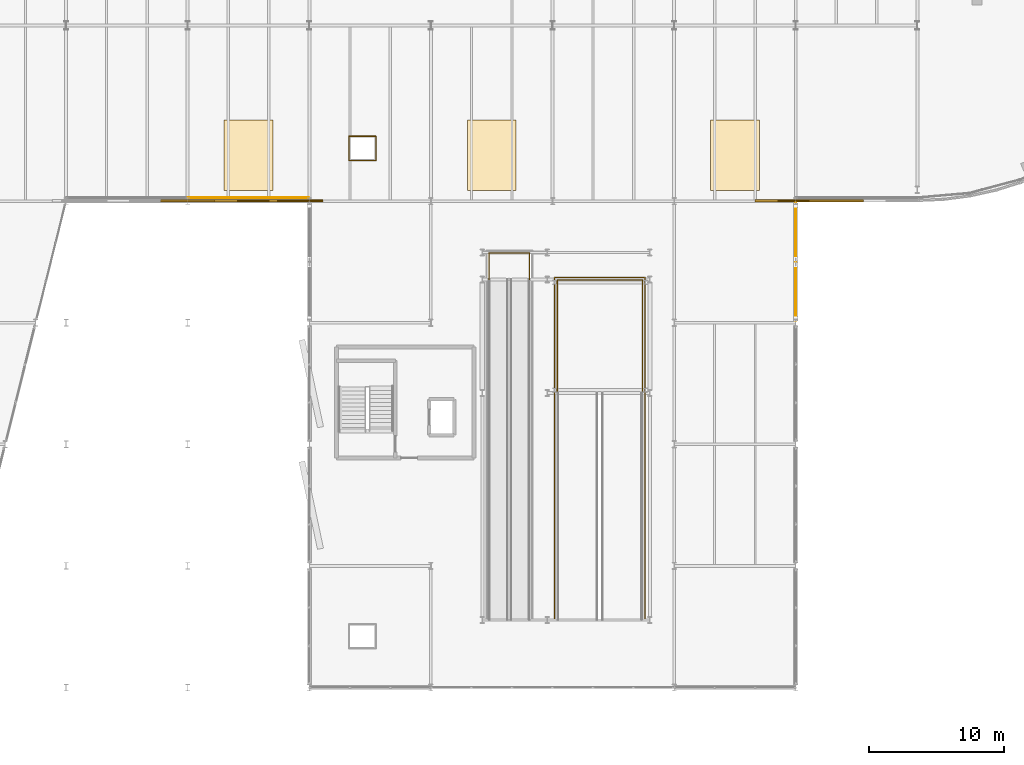
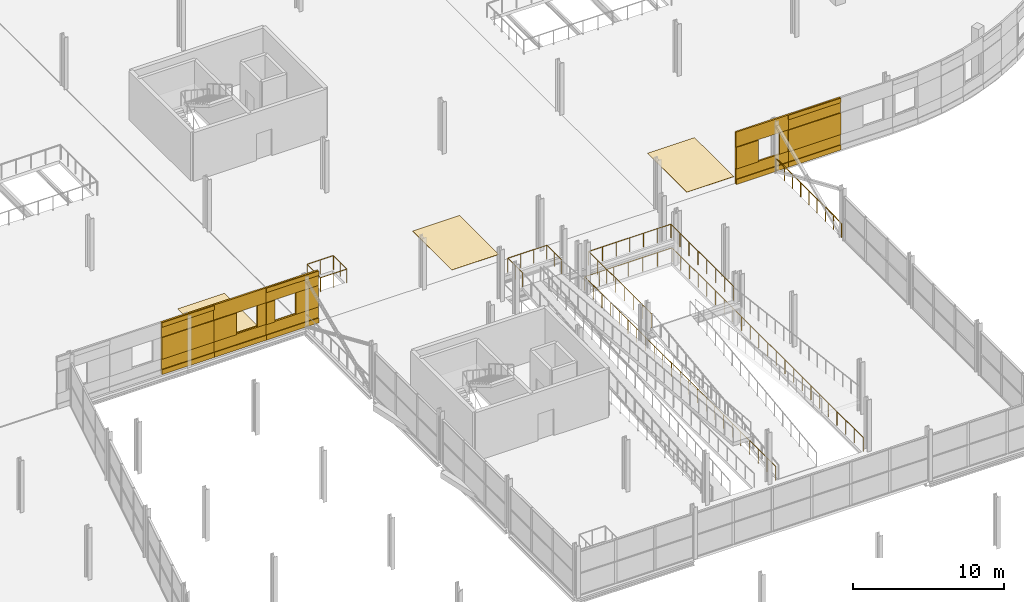
# One storey, part 125 of 132: 29 coverings, 7 railings.
"""IFC4 building model written with IfcOpenShell, lengths in metres."""

from ifc_helpers import new_model, si_unit, direction, frame, origin, origin_2d, place, context, subcontext, project, spatial, polyline, rectangle, circle, outline, extrude, material, layer, layer_set, type_object, element, save


model = new_model("IFC4")

# Units and contexts
model_context = context("Model", 3, precision=1e-05, world=origin(), true_north=direction((0.0, 1.0)))
body_context = subcontext(model_context, "Body", "Model", "MODEL_VIEW")
ifc_project = project(units=[si_unit("LENGTHUNIT", "METRE"), si_unit("AREAUNIT", "SQUARE_METRE"), si_unit("VOLUMEUNIT", "CUBIC_METRE"), si_unit("PLANEANGLEUNIT", "RADIAN"), si_unit("MASSUNIT", "GRAM", prefix="KILO")], contexts=[model_context])

# Site, building, storey
site_placement = place(None, origin())
site = spatial("IfcSite", under=ifc_project, at=site_placement, CompositionType="ELEMENT")
building_placement = place(site_placement, origin())
building = spatial("IfcBuilding", under=site, at=building_placement, Name="Deido Ridge Mobility Hub", CompositionType="ELEMENT")
storey_placement = place(building_placement, frame((0.0, 0.0, 8.39990234375)))
storey = spatial("IfcBuildingStorey", under=building, at=storey_placement, Name="L02", CompositionType="ELEMENT", Elevation=8.39990234375)

# Coverings
ifc_material_1 = material(Name="Fired clay brick masonry", Category="masonry")
ifc_layer_1 = layer(ifc_material_1, 0.114990234375, Name="Fired clay brick masonry")
ifc_layer_set_1 = layer_set([ifc_layer_1], Name="Fired clay brick masonry")
covering_type_1 = type_object("IfcCoveringType", Name="COV-BRK-SCREEN-115", PredefinedType="CLADDING", material=ifc_layer_set_1)
covering_1_placement = place(storey_placement, frame((63.0, 81.052490234375, 0.0), z_axis=(0.0, 0.0, 1.0), x_axis=(1.0, 0.0, 0.0)))
element("IfcCovering", 1, at=covering_1_placement, inside=storey, type_object=covering_type_1, Name="Open brickwork spandrel course BKS1 (L02)", PredefinedType="CLADDING", context=body_context, shape_type="SweptSolid", body=[
    extrude(rectangle(XDim=4.01611328125, YDim=0.125, at=origin_2d()), origin(), (0.0, 0.0, 1.0), 1.25),
])
covering_2_placement = place(storey_placement, frame((63.0, 81.02490234375, 0.000244140625), z_axis=(0.0, 0.0, 1.0), x_axis=(1.0, 0.0, 0.0)))
element("IfcCovering", 2, at=covering_2_placement, inside=storey, type_object=covering_type_1, Name="Raised brick relief belt BKS1 (L02)", PredefinedType="CLADDING", context=body_context, shape_type="SweptSolid", body=[
    extrude(rectangle(XDim=4.01611328125, YDim=0.179931640625, at=origin_2d()), origin(), (0.0, 0.0, 1.0), 0.39990234375),
])
covering_3_placement = place(storey_placement, frame((63.0, 81.052490234375, 3.0), z_axis=(0.0, 0.0, 1.0), x_axis=(1.0, 0.0, 0.0)))
element("IfcCovering", 3, at=covering_3_placement, inside=storey, type_object=covering_type_1, Name="Open brickwork lintel course BKS1 (L02)", PredefinedType="CLADDING", context=body_context, shape_type="SweptSolid", body=[
    extrude(rectangle(XDim=4.01611328125, YDim=0.125, at=origin_2d()), origin(), (0.0, 0.0, 1.0), 1.199951171875),
])
covering_4_placement = place(storey_placement, frame((63.0, 81.02490234375, 3.83984375), z_axis=(0.0, 0.0, 1.0), x_axis=(1.0, 0.0, 0.0)))
element("IfcCovering", 4, at=covering_4_placement, inside=storey, type_object=covering_type_1, Name="Raised brick relief cornice BKS1 (L02)", PredefinedType="CLADDING", context=body_context, shape_type="SweptSolid", body=[
    extrude(rectangle(XDim=4.01611328125, YDim=0.179931640625, at=origin_2d()), origin(), (0.0, 0.0, 1.0), 0.360107421875),
])
covering_5_placement = place(storey_placement, frame((63.0, 81.02490234375, 1.25), z_axis=(0.0, 0.0, 1.0), x_axis=(1.0, 0.0, 0.0)))
element("IfcCovering", 5, at=covering_5_placement, inside=storey, type_object=covering_type_1, Name="Raised brick relief panel BKS1 (L02)", PredefinedType="CLADDING", context=body_context, shape_type="SweptSolid", body=[
    extrude(rectangle(XDim=4.008056640625, YDim=0.179931640625, at=origin_2d()), origin(), (0.0, 0.0, 1.0), 1.75),
])
covering_6_placement = place(storey_placement, frame((67.0, 81.052490234375, 0.0), z_axis=(0.0, 0.0, 1.0), x_axis=(1.0, 0.0, 0.0)))
element("IfcCovering", 6, at=covering_6_placement, inside=storey, type_object=covering_type_1, Name="Open brickwork spandrel course BKS1 (L02)", PredefinedType="CLADDING", context=body_context, shape_type="SweptSolid", body=[
    extrude(rectangle(XDim=4.01611328125, YDim=0.125, at=origin_2d()), origin(), (0.0, 0.0, 1.0), 1.25),
])
covering_7_placement = place(storey_placement, frame((67.0, 81.02490234375, 0.000244140625), z_axis=(0.0, 0.0, 1.0), x_axis=(1.0, 0.0, 0.0)))
element("IfcCovering", 7, at=covering_7_placement, inside=storey, type_object=covering_type_1, Name="Raised brick relief belt BKS1 (L02)", PredefinedType="CLADDING", context=body_context, shape_type="SweptSolid", body=[
    extrude(rectangle(XDim=4.01611328125, YDim=0.179931640625, at=origin_2d()), origin(), (0.0, 0.0, 1.0), 0.39990234375),
])
covering_8_placement = place(storey_placement, frame((67.0, 81.052490234375, 3.0), z_axis=(0.0, 0.0, 1.0), x_axis=(1.0, 0.0, 0.0)))
element("IfcCovering", 8, at=covering_8_placement, inside=storey, type_object=covering_type_1, Name="Open brickwork lintel course BKS1 (L02)", PredefinedType="CLADDING", context=body_context, shape_type="SweptSolid", body=[
    extrude(rectangle(XDim=4.01611328125, YDim=0.125, at=origin_2d()), origin(), (0.0, 0.0, 1.0), 1.199951171875),
])
covering_9_placement = place(storey_placement, frame((65.847412109375, 81.02490234375, 1.25), z_axis=(0.0, 0.0, 1.0), x_axis=(1.0, 0.0, 0.0)))
element("IfcCovering", 9, at=covering_9_placement, inside=storey, type_object=covering_type_1, Name="Open brickwork pier BKS1 (L02)", PredefinedType="CLADDING", context=body_context, shape_type="SweptSolid", body=[
    extrude(rectangle(XDim=1.695068359375, YDim=0.179931640625, at=origin_2d()), origin(), (0.0, 0.0, 1.0), 1.75),
])
covering_10_placement = place(storey_placement, frame((68.672607421875, 81.052490234375, 1.25), z_axis=(0.0, 0.0, 1.0), x_axis=(1.0, 0.0, 0.0)))
element("IfcCovering", 10, at=covering_10_placement, inside=storey, type_object=covering_type_1, Name="Open brickwork pier BKS1 (L02)", PredefinedType="CLADDING", context=body_context, shape_type="SweptSolid", body=[
    extrude(rectangle(XDim=0.655029296875, YDim=0.125, at=origin_2d()), origin(), (0.0, 0.0, 1.0), 1.75),
])
covering_11_placement = place(storey_placement, frame((71.0, 81.052490234375, 0.0), z_axis=(0.0, 0.0, 1.0), x_axis=(1.0, 0.0, 0.0)))
element("IfcCovering", 11, at=covering_11_placement, inside=storey, type_object=covering_type_1, Name="Open brickwork spandrel course BKS1 (L02)", PredefinedType="CLADDING", context=body_context, shape_type="SweptSolid", body=[
    extrude(rectangle(XDim=4.01611328125, YDim=0.125, at=origin_2d()), origin(), (0.0, 0.0, 1.0), 1.25),
])
covering_12_placement = place(storey_placement, frame((71.0, 81.02490234375, 0.000244140625), z_axis=(0.0, 0.0, 1.0), x_axis=(1.0, 0.0, 0.0)))
element("IfcCovering", 12, at=covering_12_placement, inside=storey, type_object=covering_type_1, Name="Raised brick relief belt BKS1 (L02)", PredefinedType="CLADDING", context=body_context, shape_type="SweptSolid", body=[
    extrude(rectangle(XDim=4.01611328125, YDim=0.179931640625, at=origin_2d()), origin(), (0.0, 0.0, 1.0), 0.39990234375),
])
covering_13_placement = place(storey_placement, frame((71.0, 81.052490234375, 3.0), z_axis=(0.0, 0.0, 1.0), x_axis=(1.0, 0.0, 0.0)))
element("IfcCovering", 13, at=covering_13_placement, inside=storey, type_object=covering_type_1, Name="Open brickwork lintel course BKS1 (L02)", PredefinedType="CLADDING", context=body_context, shape_type="SweptSolid", body=[
    extrude(rectangle(XDim=4.01611328125, YDim=0.125, at=origin_2d()), origin(), (0.0, 0.0, 1.0), 1.199951171875),
])
covering_14_placement = place(storey_placement, frame((71.0, 81.02490234375, 3.83984375), z_axis=(0.0, 0.0, 1.0), x_axis=(1.0, 0.0, 0.0)))
element("IfcCovering", 14, at=covering_14_placement, inside=storey, type_object=covering_type_1, Name="Raised brick relief cornice BKS1 (L02)", PredefinedType="CLADDING", context=body_context, shape_type="SweptSolid", body=[
    extrude(rectangle(XDim=4.01611328125, YDim=0.179931640625, at=origin_2d()), origin(), (0.0, 0.0, 1.0), 0.360107421875),
])
covering_15_placement = place(storey_placement, frame((69.327392578125, 81.02490234375, 1.25), z_axis=(0.0, 0.0, 1.0), x_axis=(1.0, 0.0, 0.0)))
element("IfcCovering", 15, at=covering_15_placement, inside=storey, type_object=covering_type_1, Name="Open brickwork pier BKS1 (L02)", PredefinedType="CLADDING", context=body_context, shape_type="SweptSolid", body=[
    extrude(rectangle(XDim=0.655029296875, YDim=0.179931640625, at=origin_2d()), origin(), (0.0, 0.0, 1.0), 1.75),
])
covering_16_placement = place(storey_placement, frame((72.152587890625, 81.052490234375, 1.25), z_axis=(0.0, 0.0, 1.0), x_axis=(1.0, 0.0, 0.0)))
element("IfcCovering", 16, at=covering_16_placement, inside=storey, type_object=covering_type_1, Name="Open brickwork pier BKS1 (L02)", PredefinedType="CLADDING", context=body_context, shape_type="SweptSolid", body=[
    extrude(rectangle(XDim=1.695068359375, YDim=0.125, at=origin_2d()), origin(), (0.0, 0.0, 1.0), 1.75),
])
covering_17_placement = place(storey_placement, frame((107.0, 81.052490234375, 0.0), z_axis=(0.0, 0.0, 1.0), x_axis=(1.0, 0.0, 0.0)))
element("IfcCovering", 17, at=covering_17_placement, inside=storey, type_object=covering_type_1, Name="Open brickwork spandrel course BKS1 (L02)", PredefinedType="CLADDING", context=body_context, shape_type="SweptSolid", body=[
    extrude(rectangle(XDim=4.01611328125, YDim=0.125, at=origin_2d()), origin(), (0.0, 0.0, 1.0), 1.25),
])
covering_18_placement = place(storey_placement, frame((107.0, 81.02490234375, 0.000244140625), z_axis=(0.0, 0.0, 1.0), x_axis=(1.0, 0.0, 0.0)))
element("IfcCovering", 18, at=covering_18_placement, inside=storey, type_object=covering_type_1, Name="Raised brick relief belt BKS1 (L02)", PredefinedType="CLADDING", context=body_context, shape_type="SweptSolid", body=[
    extrude(rectangle(XDim=4.01611328125, YDim=0.179931640625, at=origin_2d()), origin(), (0.0, 0.0, 1.0), 0.39990234375),
])
covering_19_placement = place(storey_placement, frame((107.0, 81.052490234375, 3.0), z_axis=(0.0, 0.0, 1.0), x_axis=(1.0, 0.0, 0.0)))
element("IfcCovering", 19, at=covering_19_placement, inside=storey, type_object=covering_type_1, Name="Open brickwork lintel course BKS1 (L02)", PredefinedType="CLADDING", context=body_context, shape_type="SweptSolid", body=[
    extrude(rectangle(XDim=4.01611328125, YDim=0.125, at=origin_2d()), origin(), (0.0, 0.0, 1.0), 1.199951171875),
])
covering_20_placement = place(storey_placement, frame((105.847412109375, 81.02490234375, 1.25), z_axis=(0.0, 0.0, 1.0), x_axis=(1.0, 0.0, 0.0)))
element("IfcCovering", 20, at=covering_20_placement, inside=storey, type_object=covering_type_1, Name="Open brickwork pier BKS1 (L02)", PredefinedType="CLADDING", context=body_context, shape_type="SweptSolid", body=[
    extrude(rectangle(XDim=1.695068359375, YDim=0.179931640625, at=origin_2d()), origin(), (0.0, 0.0, 1.0), 1.75),
])
covering_21_placement = place(storey_placement, frame((108.672607421875, 81.052490234375, 1.25), z_axis=(0.0, 0.0, 1.0), x_axis=(1.0, 0.0, 0.0)))
element("IfcCovering", 21, at=covering_21_placement, inside=storey, type_object=covering_type_1, Name="Open brickwork pier BKS1 (L02)", PredefinedType="CLADDING", context=body_context, shape_type="SweptSolid", body=[
    extrude(rectangle(XDim=0.655029296875, YDim=0.125, at=origin_2d()), origin(), (0.0, 0.0, 1.0), 1.75),
])
covering_22_placement = place(storey_placement, frame((111.0, 81.052490234375, 0.0), z_axis=(0.0, 0.0, 1.0), x_axis=(1.0, 0.0, 0.0)))
element("IfcCovering", 22, at=covering_22_placement, inside=storey, type_object=covering_type_1, Name="Open brickwork spandrel course BKS1 (L02)", PredefinedType="CLADDING", context=body_context, shape_type="SweptSolid", body=[
    extrude(rectangle(XDim=4.01611328125, YDim=0.125, at=origin_2d()), origin(), (0.0, 0.0, 1.0), 1.25),
])
covering_23_placement = place(storey_placement, frame((111.0, 81.02490234375, 0.000244140625), z_axis=(0.0, 0.0, 1.0), x_axis=(1.0, 0.0, 0.0)))
element("IfcCovering", 23, at=covering_23_placement, inside=storey, type_object=covering_type_1, Name="Raised brick relief belt BKS1 (L02)", PredefinedType="CLADDING", context=body_context, shape_type="SweptSolid", body=[
    extrude(rectangle(XDim=4.01611328125, YDim=0.179931640625, at=origin_2d()), origin(), (0.0, 0.0, 1.0), 0.39990234375),
])
covering_24_placement = place(storey_placement, frame((111.0, 81.052490234375, 3.0), z_axis=(0.0, 0.0, 1.0), x_axis=(1.0, 0.0, 0.0)))
element("IfcCovering", 24, at=covering_24_placement, inside=storey, type_object=covering_type_1, Name="Open brickwork lintel course BKS1 (L02)", PredefinedType="CLADDING", context=body_context, shape_type="SweptSolid", body=[
    extrude(rectangle(XDim=4.01611328125, YDim=0.125, at=origin_2d()), origin(), (0.0, 0.0, 1.0), 1.199951171875),
])
covering_25_placement = place(storey_placement, frame((111.0, 81.02490234375, 3.83984375), z_axis=(0.0, 0.0, 1.0), x_axis=(1.0, 0.0, 0.0)))
element("IfcCovering", 25, at=covering_25_placement, inside=storey, type_object=covering_type_1, Name="Raised brick relief cornice BKS1 (L02)", PredefinedType="CLADDING", context=body_context, shape_type="SweptSolid", body=[
    extrude(rectangle(XDim=4.01611328125, YDim=0.179931640625, at=origin_2d()), origin(), (0.0, 0.0, 1.0), 0.360107421875),
])
covering_26_placement = place(storey_placement, frame((111.0, 81.02490234375, 1.25), z_axis=(0.0, 0.0, 1.0), x_axis=(1.0, 0.0, 0.0)))
element("IfcCovering", 26, at=covering_26_placement, inside=storey, type_object=covering_type_1, Name="Raised brick relief panel BKS1 (L02)", PredefinedType="CLADDING", context=body_context, shape_type="SweptSolid", body=[
    extrude(rectangle(XDim=4.008056640625, YDim=0.179931640625, at=origin_2d()), origin(), (0.0, 0.0, 1.0), 1.75),
])
ifc_material_2 = material(Name="Epoxy terrazzo floor finish")
ifc_layer_2 = layer(ifc_material_2, 0.02001953125, Name="Epoxy terrazzo floor finish")
ifc_layer_set_2 = layer_set([ifc_layer_2], Name="Epoxy terrazzo floor finish")
covering_type_2 = type_object("IfcCoveringType", Name="COV-FLR-TER-20", PredefinedType="FLOORING", material=ifc_layer_set_2)
covering_27_placement = place(storey_placement, origin())
element("IfcCovering", 27, at=covering_27_placement, inside=storey, type_object=covering_type_2, Name="Accessible parking bay marking AB10", PredefinedType="FLOORING", context=body_context, shape_type="SweptSolid", body=[
    extrude(outline(polyline([(65.699951171875, 81.800048828125), (69.300048828125, 81.800048828125), (69.300048828125, 87.0), (65.699951171875, 87.0), (65.699951171875, 81.800048828125)])), origin(), (0.0, 0.0, 1.0), 0.02001953125),
])
covering_28_placement = place(storey_placement, origin())
element("IfcCovering", 28, at=covering_28_placement, inside=storey, type_object=covering_type_2, Name="Accessible parking bay marking AB11", PredefinedType="FLOORING", context=body_context, shape_type="SweptSolid", body=[
    extrude(outline(polyline([(83.699951171875, 81.800048828125), (87.300048828125, 81.800048828125), (87.300048828125, 87.0), (83.699951171875, 87.0), (83.699951171875, 81.800048828125)])), origin(), (0.0, 0.0, 1.0), 0.02001953125),
])
covering_29_placement = place(storey_placement, origin())
element("IfcCovering", 29, at=covering_29_placement, inside=storey, type_object=covering_type_2, Name="Accessible parking bay marking AB12", PredefinedType="FLOORING", context=body_context, shape_type="SweptSolid", body=[
    extrude(outline(polyline([(101.699951171875, 81.800048828125), (105.300048828125, 81.800048828125), (105.300048828125, 87.0), (101.699951171875, 87.0), (101.699951171875, 81.800048828125)])), origin(), (0.0, 0.0, 1.0), 0.02001953125),
])

# Railings
ifc_material_3 = material(Name="Galvanised steel work", Category="steel")
railing_type = type_object("IfcRailingType", Name="RL-GRD-EXT-1150", PredefinedType="GUARDRAIL", material=ifc_material_3)
railing_1_placement = place(storey_placement, frame((108.0, 72.14990234375, 0.0)))
element("IfcRailing", 30, at=railing_1_placement, inside=storey, type_object=railing_type, Name="Braced bay perimeter guard (L02)", PredefinedType="GUARDRAIL", context=body_context, shape_type="SweptSolid", body=[
    extrude(circle(Radius=0.02392578125, at=origin_2d()), frame((0.0, 0.0, 1.1259765625), z_axis=(0.0, 1.0, 0.0), x_axis=(-1.0, 0.0, 0.0)), (0.0, 0.0, 1.0), 8.7001953125),
    extrude(circle(Radius=0.02099609375, at=origin_2d()), origin(), (0.0, 0.0, 1.0), 1.101806640625),
    extrude(circle(Radius=0.02099609375, at=origin_2d()), frame((0.0, 1.08740234375, 0.0)), (0.0, 0.0, 1.0), 1.101806640625),
    extrude(circle(Radius=0.02099609375, at=origin_2d()), frame((0.0, 2.175048828125, 0.0)), (0.0, 0.0, 1.0), 1.101806640625),
    extrude(circle(Radius=0.02099609375, at=origin_2d()), frame((0.0, 3.2626953125, 0.0)), (0.0, 0.0, 1.0), 1.101806640625),
    extrude(circle(Radius=0.02099609375, at=origin_2d()), frame((0.0, 4.35009765625, 0.0)), (0.0, 0.0, 1.0), 1.101806640625),
    extrude(circle(Radius=0.02099609375, at=origin_2d()), frame((0.0, 5.4375, 0.0)), (0.0, 0.0, 1.0), 1.101806640625),
    extrude(circle(Radius=0.02099609375, at=origin_2d()), frame((0.0, 6.525146484375, 0.0)), (0.0, 0.0, 1.0), 1.101806640625),
    extrude(circle(Radius=0.02099609375, at=origin_2d()), frame((0.0, 7.61279296875, 0.0)), (0.0, 0.0, 1.0), 1.101806640625),
    extrude(circle(Radius=0.02099609375, at=origin_2d()), frame((0.0, 8.7001953125, 0.0)), (0.0, 0.0, 1.0), 1.101806640625),
])
railing_2_placement = place(storey_placement, frame((63.0400390625, 81.25, 0.0)))
element("IfcRailing", 31, at=railing_2_placement, inside=storey, type_object=railing_type, Name="Parking drum perimeter guard (L02)", PredefinedType="GUARDRAIL", context=body_context, shape_type="SweptSolid", body=[
    extrude(circle(Radius=0.02392578125, at=origin_2d()), frame((0.0, 0.0, 1.1259765625), z_axis=(1.0, 0.0, 0.0), x_axis=(0.0, 1.0, 0.0)), (0.0, 0.0, 1.0), 8.919921875),
    extrude(circle(Radius=0.02099609375, at=origin_2d()), origin(), (0.0, 0.0, 1.0), 1.101806640625),
    extrude(circle(Radius=0.02099609375, at=origin_2d()), frame((1.114990234375, 0.0, 0.0)), (0.0, 0.0, 1.0), 1.101806640625),
    extrude(circle(Radius=0.02099609375, at=origin_2d()), frame((2.22998046875, 0.0, 0.0)), (0.0, 0.0, 1.0), 1.101806640625),
    extrude(circle(Radius=0.02099609375, at=origin_2d()), frame((3.344970703125, 0.0, 0.0)), (0.0, 0.0, 1.0), 1.101806640625),
    extrude(circle(Radius=0.02099609375, at=origin_2d()), frame((4.4599609375, 0.0, 0.0)), (0.0, 0.0, 1.0), 1.101806640625),
    extrude(circle(Radius=0.02099609375, at=origin_2d()), frame((5.574951171875, 0.0, 0.0)), (0.0, 0.0, 1.0), 1.101806640625),
    extrude(circle(Radius=0.02099609375, at=origin_2d()), frame((6.68994140625, 0.0, 0.0)), (0.0, 0.0, 1.0), 1.101806640625),
    extrude(circle(Radius=0.02099609375, at=origin_2d()), frame((7.804931640625, 0.0, 0.0)), (0.0, 0.0, 1.0), 1.101806640625),
    extrude(circle(Radius=0.02099609375, at=origin_2d()), frame((8.919921875, 0.0, 0.0)), (0.0, 0.0, 1.0), 1.101806640625),
])
railing_3_placement = place(storey_placement, frame((90.14990234375, 50.0, 0.0)))
element("IfcRailing", 32, at=railing_3_placement, inside=storey, type_object=railing_type, Name="Vehicle ramp well guard (L02)", PredefinedType="GUARDRAIL", context=body_context, shape_type="SweptSolid", body=[
    extrude(circle(Radius=0.02392578125, at=origin_2d()), frame((0.0, 0.0, 1.1259765625), z_axis=(0.0, 1.0, 0.0), x_axis=(-1.0, 0.0, 0.0)), (0.0, 0.0, 1.0), 25.35009765625),
    extrude(circle(Radius=0.02392578125, at=origin_2d()), frame((0.0, 25.35009765625, 1.1259765625), z_axis=(1.0, 0.0, 0.0), x_axis=(0.0, 1.0, 0.0)), (0.0, 0.0, 1.0), 6.7001953125),
    extrude(circle(Radius=0.02392578125, at=origin_2d()), frame((6.7001953125, 25.35009765625, 1.1259765625), z_axis=(0.0, -1.0, 0.0), x_axis=(1.0, 0.0, 0.0)), (0.0, 0.0, 1.0), 25.35009765625),
    extrude(circle(Radius=0.02099609375, at=origin_2d()), origin(), (0.0, 0.0, 1.0), 1.101806640625),
    extrude(circle(Radius=0.02099609375, at=origin_2d()), frame((0.0, 1.15234375, 0.0)), (0.0, 0.0, 1.0), 1.101806640625),
    extrude(circle(Radius=0.02099609375, at=origin_2d()), frame((0.0, 2.304443359375, 0.0)), (0.0, 0.0, 1.0), 1.101806640625),
    extrude(circle(Radius=0.02099609375, at=origin_2d()), frame((0.0, 3.456787109375, 0.0)), (0.0, 0.0, 1.0), 1.101806640625),
    extrude(circle(Radius=0.02099609375, at=origin_2d()), frame((0.0, 4.609130859375, 0.0)), (0.0, 0.0, 1.0), 1.101806640625),
    extrude(circle(Radius=0.02099609375, at=origin_2d()), frame((0.0, 5.761474609375, 0.0)), (0.0, 0.0, 1.0), 1.101806640625),
    extrude(circle(Radius=0.02099609375, at=origin_2d()), frame((0.0, 6.91357421875, 0.0)), (0.0, 0.0, 1.0), 1.101806640625),
    extrude(circle(Radius=0.02099609375, at=origin_2d()), frame((0.0, 8.06591796875, 0.0)), (0.0, 0.0, 1.0), 1.101806640625),
    extrude(circle(Radius=0.02099609375, at=origin_2d()), frame((0.0, 9.21826171875, 0.0)), (0.0, 0.0, 1.0), 1.101806640625),
    extrude(circle(Radius=0.02099609375, at=origin_2d()), frame((0.0, 10.37060546875, 0.0)), (0.0, 0.0, 1.0), 1.101806640625),
    extrude(circle(Radius=0.02099609375, at=origin_2d()), frame((0.0, 11.522705078125, 0.0)), (0.0, 0.0, 1.0), 1.101806640625),
    extrude(circle(Radius=0.02099609375, at=origin_2d()), frame((0.0, 12.675048828125, 0.0)), (0.0, 0.0, 1.0), 1.101806640625),
    extrude(circle(Radius=0.02099609375, at=origin_2d()), frame((0.0, 13.827392578125, 0.0)), (0.0, 0.0, 1.0), 1.101806640625),
    extrude(circle(Radius=0.02099609375, at=origin_2d()), frame((0.0, 14.9794921875, 0.0)), (0.0, 0.0, 1.0), 1.101806640625),
    extrude(circle(Radius=0.02099609375, at=origin_2d()), frame((0.0, 16.1318359375, 0.0)), (0.0, 0.0, 1.0), 1.101806640625),
    extrude(circle(Radius=0.02099609375, at=origin_2d()), frame((0.0, 17.2841796875, 0.0)), (0.0, 0.0, 1.0), 1.101806640625),
    extrude(circle(Radius=0.02099609375, at=origin_2d()), frame((0.0, 18.4365234375, 0.0)), (0.0, 0.0, 1.0), 1.101806640625),
    extrude(circle(Radius=0.02099609375, at=origin_2d()), frame((0.0, 19.588623046875, 0.0)), (0.0, 0.0, 1.0), 1.101806640625),
    extrude(circle(Radius=0.02099609375, at=origin_2d()), frame((0.0, 20.740966796875, 0.0)), (0.0, 0.0, 1.0), 1.101806640625),
    extrude(circle(Radius=0.02099609375, at=origin_2d()), frame((0.0, 21.893310546875, 0.0)), (0.0, 0.0, 1.0), 1.101806640625),
    extrude(circle(Radius=0.02099609375, at=origin_2d()), frame((0.0, 23.045654296875, 0.0)), (0.0, 0.0, 1.0), 1.101806640625),
    extrude(circle(Radius=0.02099609375, at=origin_2d()), frame((0.0, 24.19775390625, 0.0)), (0.0, 0.0, 1.0), 1.101806640625),
    extrude(circle(Radius=0.02099609375, at=origin_2d()), frame((0.0, 25.35009765625, 0.0)), (0.0, 0.0, 1.0), 1.101806640625),
    extrude(circle(Radius=0.02099609375, at=origin_2d()), frame((1.11669921875, 25.35009765625, 0.0)), (0.0, 0.0, 1.0), 1.101806640625),
    extrude(circle(Radius=0.02099609375, at=origin_2d()), frame((2.2333984375, 25.35009765625, 0.0)), (0.0, 0.0, 1.0), 1.101806640625),
    extrude(circle(Radius=0.02099609375, at=origin_2d()), frame((3.35009765625, 25.35009765625, 0.0)), (0.0, 0.0, 1.0), 1.101806640625),
    extrude(circle(Radius=0.02099609375, at=origin_2d()), frame((4.466796875, 25.35009765625, 0.0)), (0.0, 0.0, 1.0), 1.101806640625),
    extrude(circle(Radius=0.02099609375, at=origin_2d()), frame((5.58349609375, 25.35009765625, 0.0)), (0.0, 0.0, 1.0), 1.101806640625),
    extrude(circle(Radius=0.02099609375, at=origin_2d()), frame((6.7001953125, 25.35009765625, 0.0)), (0.0, 0.0, 1.0), 1.101806640625),
    extrude(circle(Radius=0.02099609375, at=origin_2d()), frame((6.7001953125, 24.19775390625, 0.0)), (0.0, 0.0, 1.0), 1.101806640625),
    extrude(circle(Radius=0.02099609375, at=origin_2d()), frame((6.7001953125, 23.045654296875, 0.0)), (0.0, 0.0, 1.0), 1.101806640625),
    extrude(circle(Radius=0.02099609375, at=origin_2d()), frame((6.7001953125, 21.893310546875, 0.0)), (0.0, 0.0, 1.0), 1.101806640625),
    extrude(circle(Radius=0.02099609375, at=origin_2d()), frame((6.7001953125, 20.740966796875, 0.0)), (0.0, 0.0, 1.0), 1.101806640625),
    extrude(circle(Radius=0.02099609375, at=origin_2d()), frame((6.7001953125, 19.588623046875, 0.0)), (0.0, 0.0, 1.0), 1.101806640625),
    extrude(circle(Radius=0.02099609375, at=origin_2d()), frame((6.7001953125, 18.4365234375, 0.0)), (0.0, 0.0, 1.0), 1.101806640625),
    extrude(circle(Radius=0.02099609375, at=origin_2d()), frame((6.7001953125, 17.2841796875, 0.0)), (0.0, 0.0, 1.0), 1.101806640625),
    extrude(circle(Radius=0.02099609375, at=origin_2d()), frame((6.7001953125, 16.1318359375, 0.0)), (0.0, 0.0, 1.0), 1.101806640625),
    extrude(circle(Radius=0.02099609375, at=origin_2d()), frame((6.7001953125, 14.9794921875, 0.0)), (0.0, 0.0, 1.0), 1.101806640625),
    extrude(circle(Radius=0.02099609375, at=origin_2d()), frame((6.7001953125, 13.827392578125, 0.0)), (0.0, 0.0, 1.0), 1.101806640625),
    extrude(circle(Radius=0.02099609375, at=origin_2d()), frame((6.7001953125, 12.675048828125, 0.0)), (0.0, 0.0, 1.0), 1.101806640625),
    extrude(circle(Radius=0.02099609375, at=origin_2d()), frame((6.7001953125, 11.522705078125, 0.0)), (0.0, 0.0, 1.0), 1.101806640625),
    extrude(circle(Radius=0.02099609375, at=origin_2d()), frame((6.7001953125, 10.37060546875, 0.0)), (0.0, 0.0, 1.0), 1.101806640625),
    extrude(circle(Radius=0.02099609375, at=origin_2d()), frame((6.7001953125, 9.21826171875, 0.0)), (0.0, 0.0, 1.0), 1.101806640625),
    extrude(circle(Radius=0.02099609375, at=origin_2d()), frame((6.7001953125, 8.06591796875, 0.0)), (0.0, 0.0, 1.0), 1.101806640625),
    extrude(circle(Radius=0.02099609375, at=origin_2d()), frame((6.7001953125, 6.91357421875, 0.0)), (0.0, 0.0, 1.0), 1.101806640625),
    extrude(circle(Radius=0.02099609375, at=origin_2d()), frame((6.7001953125, 5.761474609375, 0.0)), (0.0, 0.0, 1.0), 1.101806640625),
    extrude(circle(Radius=0.02099609375, at=origin_2d()), frame((6.7001953125, 4.609130859375, 0.0)), (0.0, 0.0, 1.0), 1.101806640625),
    extrude(circle(Radius=0.02099609375, at=origin_2d()), frame((6.7001953125, 3.456787109375, 0.0)), (0.0, 0.0, 1.0), 1.101806640625),
    extrude(circle(Radius=0.02099609375, at=origin_2d()), frame((6.7001953125, 2.304443359375, 0.0)), (0.0, 0.0, 1.0), 1.101806640625),
    extrude(circle(Radius=0.02099609375, at=origin_2d()), frame((6.7001953125, 1.15234375, 0.0)), (0.0, 0.0, 1.0), 1.101806640625),
    extrude(circle(Radius=0.02099609375, at=origin_2d()), frame((6.7001953125, 0.0, 0.0)), (0.0, 0.0, 1.0), 1.101806640625),
])
railing_4_placement = place(storey_placement, frame((90.35009765625, 66.800048828125, 2.10009765625)))
element("IfcRailing", 33, at=railing_4_placement, inside=storey, type_object=railing_type, Name="Vehicle ramp landing guard (L02)", PredefinedType="GUARDRAIL", context=body_context, shape_type="SweptSolid", body=[
    extrude(circle(Radius=0.02392578125, at=origin_2d()), frame((0.0, 0.0, 1.1259765625), z_axis=(0.0, 1.0, 0.0), x_axis=(-1.0, 0.0, 0.0)), (0.0, 0.0, 1.0), 8.349853515625),
    extrude(circle(Radius=0.02392578125, at=origin_2d()), frame((0.0, 8.349853515625, 1.1259765625), z_axis=(1.0, 0.0, 0.0), x_axis=(0.0, 1.0, 0.0)), (0.0, 0.0, 1.0), 6.2998046875),
    extrude(circle(Radius=0.02392578125, at=origin_2d()), frame((6.2998046875, 8.349853515625, 1.1259765625), z_axis=(0.0, -1.0, 0.0), x_axis=(1.0, 0.0, 0.0)), (0.0, 0.0, 1.0), 8.349853515625),
    extrude(circle(Radius=0.02099609375, at=origin_2d()), origin(), (0.0, 0.0, 1.0), 1.101806640625),
    extrude(circle(Radius=0.02099609375, at=origin_2d()), frame((0.0, 1.19287109375, 0.0)), (0.0, 0.0, 1.0), 1.101806640625),
    extrude(circle(Radius=0.02099609375, at=origin_2d()), frame((0.0, 2.3857421875, 0.0)), (0.0, 0.0, 1.0), 1.101806640625),
    extrude(circle(Radius=0.02099609375, at=origin_2d()), frame((0.0, 3.57861328125, 0.0)), (0.0, 0.0, 1.0), 1.101806640625),
    extrude(circle(Radius=0.02099609375, at=origin_2d()), frame((0.0, 4.771240234375, 0.0)), (0.0, 0.0, 1.0), 1.101806640625),
    extrude(circle(Radius=0.02099609375, at=origin_2d()), frame((0.0, 5.964111328125, 0.0)), (0.0, 0.0, 1.0), 1.101806640625),
    extrude(circle(Radius=0.02099609375, at=origin_2d()), frame((0.0, 7.156982421875, 0.0)), (0.0, 0.0, 1.0), 1.101806640625),
    extrude(circle(Radius=0.02099609375, at=origin_2d()), frame((0.0, 8.349853515625, 0.0)), (0.0, 0.0, 1.0), 1.101806640625),
    extrude(circle(Radius=0.02099609375, at=origin_2d()), frame((1.050048828125, 8.349853515625, 0.0)), (0.0, 0.0, 1.0), 1.101806640625),
    extrude(circle(Radius=0.02099609375, at=origin_2d()), frame((2.099853515625, 8.349853515625, 0.0)), (0.0, 0.0, 1.0), 1.101806640625),
    extrude(circle(Radius=0.02099609375, at=origin_2d()), frame((3.14990234375, 8.349853515625, 0.0)), (0.0, 0.0, 1.0), 1.101806640625),
    extrude(circle(Radius=0.02099609375, at=origin_2d()), frame((4.199951171875, 8.349853515625, 0.0)), (0.0, 0.0, 1.0), 1.101806640625),
    extrude(circle(Radius=0.02099609375, at=origin_2d()), frame((5.249755859375, 8.349853515625, 0.0)), (0.0, 0.0, 1.0), 1.101806640625),
    extrude(circle(Radius=0.02099609375, at=origin_2d()), frame((6.2998046875, 8.349853515625, 0.0)), (0.0, 0.0, 1.0), 1.101806640625),
    extrude(circle(Radius=0.02099609375, at=origin_2d()), frame((6.2998046875, 7.156982421875, 0.0)), (0.0, 0.0, 1.0), 1.101806640625),
    extrude(circle(Radius=0.02099609375, at=origin_2d()), frame((6.2998046875, 5.964111328125, 0.0)), (0.0, 0.0, 1.0), 1.101806640625),
    extrude(circle(Radius=0.02099609375, at=origin_2d()), frame((6.2998046875, 4.771240234375, 0.0)), (0.0, 0.0, 1.0), 1.101806640625),
    extrude(circle(Radius=0.02099609375, at=origin_2d()), frame((6.2998046875, 3.57861328125, 0.0)), (0.0, 0.0, 1.0), 1.101806640625),
    extrude(circle(Radius=0.02099609375, at=origin_2d()), frame((6.2998046875, 2.3857421875, 0.0)), (0.0, 0.0, 1.0), 1.101806640625),
    extrude(circle(Radius=0.02099609375, at=origin_2d()), frame((6.2998046875, 1.19287109375, 0.0)), (0.0, 0.0, 1.0), 1.101806640625),
    extrude(circle(Radius=0.02099609375, at=origin_2d()), frame((6.2998046875, 0.0, 0.0)), (0.0, 0.0, 1.0), 1.101806640625),
])
railing_5_placement = place(storey_placement, frame((85.300048828125, 75.199951171875, 2.10009765625)))
element("IfcRailing", 34, at=railing_5_placement, inside=storey, type_object=railing_type, Name="Cycle ramp landing guard (L02)", PredefinedType="GUARDRAIL", context=body_context, shape_type="SweptSolid", body=[
    extrude(circle(Radius=0.02392578125, at=origin_2d()), frame((0.0, 0.0, 1.1259765625), z_axis=(0.0, 1.0, 0.0), x_axis=(-1.0, 0.0, 0.0)), (0.0, 0.0, 1.0), 1.949951171875),
    extrude(circle(Radius=0.02392578125, at=origin_2d()), frame((0.0, 1.949951171875, 1.1259765625), z_axis=(1.0, 0.0, 0.0), x_axis=(0.0, 1.0, 0.0)), (0.0, 0.0, 1.0), 3.0),
    extrude(circle(Radius=0.02392578125, at=origin_2d()), frame((3.0, 1.949951171875, 1.1259765625), z_axis=(0.0, -1.0, 0.0), x_axis=(1.0, 0.0, 0.0)), (0.0, 0.0, 1.0), 1.949951171875),
    extrude(circle(Radius=0.02099609375, at=origin_2d()), origin(), (0.0, 0.0, 1.0), 1.101806640625),
    extrude(circle(Radius=0.02099609375, at=origin_2d()), frame((0.0, 0.97509765625, 0.0)), (0.0, 0.0, 1.0), 1.101806640625),
    extrude(circle(Radius=0.02099609375, at=origin_2d()), frame((0.0, 1.949951171875, 0.0)), (0.0, 0.0, 1.0), 1.101806640625),
    extrude(circle(Radius=0.02099609375, at=origin_2d()), frame((1.0, 1.949951171875, 0.0)), (0.0, 0.0, 1.0), 1.101806640625),
    extrude(circle(Radius=0.02099609375, at=origin_2d()), frame((2.0, 1.949951171875, 0.0)), (0.0, 0.0, 1.0), 1.101806640625),
    extrude(circle(Radius=0.02099609375, at=origin_2d()), frame((3.0, 1.949951171875, 0.0)), (0.0, 0.0, 1.0), 1.101806640625),
    extrude(circle(Radius=0.02099609375, at=origin_2d()), frame((3.0, 0.97509765625, 0.0)), (0.0, 0.0, 1.0), 1.101806640625),
    extrude(circle(Radius=0.02099609375, at=origin_2d()), frame((3.0, 0.0, 0.0)), (0.0, 0.0, 1.0), 1.101806640625),
])
railing_6_placement = place(storey_placement, frame((74.925048828125, 84.0, 0.0)))
element("IfcRailing", 35, at=railing_6_placement, inside=storey, type_object=railing_type, Name="Service riser shaft guard (L02) A", PredefinedType="GUARDRAIL", context=body_context, shape_type="SweptSolid", body=[
    extrude(circle(Radius=0.02392578125, at=origin_2d()), frame((0.0, 0.0, 1.1259765625), z_axis=(1.0, 0.0, 0.0), x_axis=(0.0, 1.0, 0.0)), (0.0, 0.0, 1.0), 2.0),
    extrude(circle(Radius=0.02392578125, at=origin_2d()), frame((2.0, 0.0, 1.1259765625), z_axis=(0.0, 1.0, 0.0), x_axis=(-1.0, 0.0, 0.0)), (0.0, 0.0, 1.0), 1.739990234375),
    extrude(circle(Radius=0.02099609375, at=origin_2d()), origin(), (0.0, 0.0, 1.0), 1.101806640625),
    extrude(circle(Radius=0.02099609375, at=origin_2d()), frame((1.0, 0.0, 0.0)), (0.0, 0.0, 1.0), 1.101806640625),
    extrude(circle(Radius=0.02099609375, at=origin_2d()), frame((2.0, 0.0, 0.0)), (0.0, 0.0, 1.0), 1.101806640625),
    extrude(circle(Radius=0.02099609375, at=origin_2d()), frame((2.0, 0.8701171875, 0.0)), (0.0, 0.0, 1.0), 1.101806640625),
    extrude(circle(Radius=0.02099609375, at=origin_2d()), frame((2.0, 1.739990234375, 0.0)), (0.0, 0.0, 1.0), 1.101806640625),
])
railing_7_placement = place(storey_placement, frame((76.925048828125, 85.800048828125, 0.0)))
element("IfcRailing", 36, at=railing_7_placement, inside=storey, type_object=railing_type, Name="Service riser shaft guard (L02) B", PredefinedType="GUARDRAIL", context=body_context, shape_type="SweptSolid", body=[
    extrude(circle(Radius=0.02392578125, at=origin_2d()), frame((0.0, 0.0, 1.1259765625), z_axis=(-1.0, 0.0, 0.0), x_axis=(0.0, -1.0, 0.0)), (0.0, 0.0, 1.0), 2.0),
    extrude(circle(Radius=0.02392578125, at=origin_2d()), frame((-2.0, 0.0, 1.1259765625), z_axis=(0.0, -1.0, 0.0), x_axis=(1.0, 0.0, 0.0)), (0.0, 0.0, 1.0), 1.739990234375),
    extrude(circle(Radius=0.02099609375, at=origin_2d()), origin(), (0.0, 0.0, 1.0), 1.101806640625),
    extrude(circle(Radius=0.02099609375, at=origin_2d()), frame((-1.0, 0.0, 0.0)), (0.0, 0.0, 1.0), 1.101806640625),
    extrude(circle(Radius=0.02099609375, at=origin_2d()), frame((-2.0, 0.0, 0.0)), (0.0, 0.0, 1.0), 1.101806640625),
    extrude(circle(Radius=0.02099609375, at=origin_2d()), frame((-2.0, -0.8701171875, 0.0)), (0.0, 0.0, 1.0), 1.101806640625),
    extrude(circle(Radius=0.02099609375, at=origin_2d()), frame((-2.0, -1.739990234375, 0.0)), (0.0, 0.0, 1.0), 1.101806640625),
])

save(model, "model.ifc")
